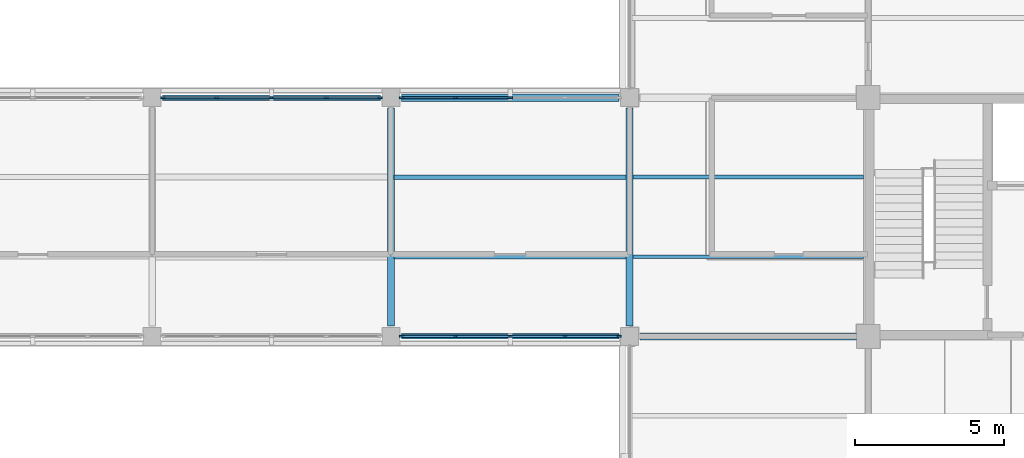
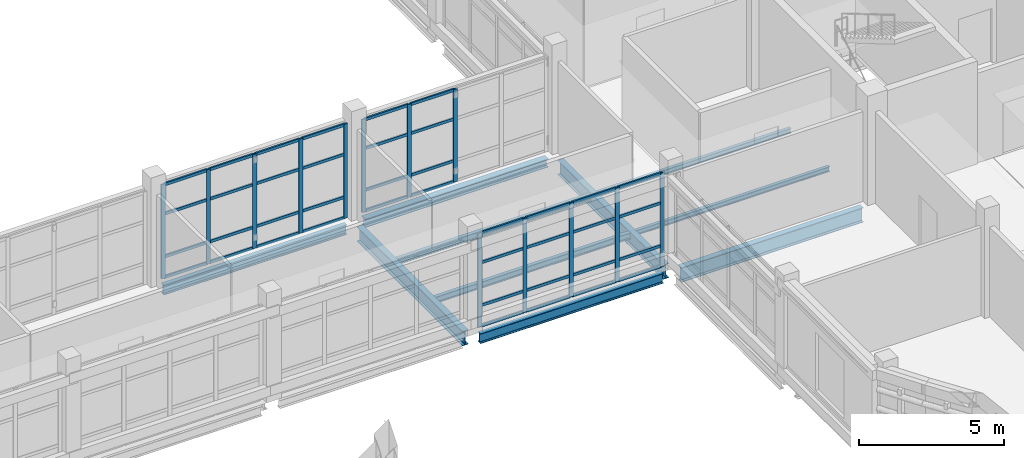
# One storey, part 20 of 121: 53 members, 10 beams, 3 elements without a shape of their own.
"""IFC4 building model written with IfcOpenShell, lengths in metres."""

from ifc_helpers import new_model, si_unit, derived_unit, direction, frame, origin, origin_2d, place, context, subcontext, project, spatial, rectangle, i_section, extrude, material, layer, layer_set, material_profile, profile_set, type_object, element, aggregate, save


model = new_model("IFC4")

# Units and contexts
model_context = context("Model", 3, precision=1e-05, world=origin(), true_north=direction((0.0, 1.0)))
body_context = subcontext(model_context, "Body", "Model", "MODEL_VIEW")
ifc_project = project(units=[si_unit("LENGTHUNIT", "METRE"), si_unit("AREAUNIT", "SQUARE_METRE"), si_unit("VOLUMEUNIT", "CUBIC_METRE"), si_unit("PLANEANGLEUNIT", "RADIAN"), si_unit("MASSUNIT", "GRAM", prefix="KILO"), derived_unit("THERMALTRANSMITTANCEUNIT", [(si_unit("MASSUNIT", "GRAM", prefix="KILO"), 1), (si_unit("TIMEUNIT", "SECOND"), -3), (si_unit("THERMODYNAMICTEMPERATUREUNIT", "KELVIN"), -1)])], contexts=[model_context])

# Site, building, storey
site_placement = place(None, origin())
site = spatial("IfcSite", under=ifc_project, at=site_placement, CompositionType="ELEMENT")
building_placement = place(site_placement, origin())
building = spatial("IfcBuilding", under=site, at=building_placement, Name="Veyamyaing Civic Hall", CompositionType="ELEMENT")
storey_placement = place(building_placement, frame((0.0, 0.0, 5.280029296875)))
storey = spatial("IfcBuildingStorey", under=building, at=storey_placement, Name="L01", CompositionType="ELEMENT", Elevation=5.280029296875)

# Beams
ifc_material_1 = material(Name="Steel ASTM A992", Category="steel")
ifc_material_profile_1 = material_profile(ifc_material_1, i_section(OverallWidth=0.22998046875, OverallDepth=0.616943359375, WebThickness=0.01318359375, FlangeThickness=0.022216796875, FilletRadius=0.012939453125, at=origin_2d()), Name="W610X140")
ifc_profile_set_1 = profile_set([ifc_material_profile_1], Name="Steel ASTM A992")
beam_type_1 = type_object("IfcBeamType", Name="B-05", PredefinedType="BEAM", material=ifc_profile_set_1)
beam_1_placement = place(storey_placement, frame((56.35009765625, 48.0, -0.553466796875), z_axis=(1.0, 0.0, 0.0), x_axis=(0.0, 1.0, 0.0)))
element("IfcBeam", 1, at=beam_1_placement, inside=storey, type_object=beam_type_1, Name="Girder B-05 L01 Grid G 8-9", PredefinedType="BEAM", context=body_context, shape_type="SweptSolid", body=[
    extrude(i_section(OverallWidth=0.22998046875, OverallDepth=0.616943359375, WebThickness=0.01318359375, FlangeThickness=0.022216796875, FilletRadius=0.012939453125, at=origin_2d()), origin(), (0.0, 0.0, 1.0), 7.25),
])
beam_2_placement = place(storey_placement, frame((48.0, 48.35009765625, -0.553466796875), z_axis=(0.0, 1.0, 0.0), x_axis=(-1.0, 0.0, 0.0)))
element("IfcBeam", 2, at=beam_2_placement, inside=storey, type_object=beam_type_1, Name="Girder B-05 L01 Grid 7 G-H", PredefinedType="BEAM", context=body_context, shape_type="SweptSolid", body=[
    extrude(i_section(OverallWidth=0.22998046875, OverallDepth=0.616943359375, WebThickness=0.01318359375, FlangeThickness=0.022216796875, FilletRadius=0.012939453125, at=origin_2d()), origin(), (0.0, 0.0, 1.0), 7.2998046875),
])
ifc_material_profile_2 = material_profile(ifc_material_1, i_section(OverallWidth=0.22802734375, OverallDepth=0.60791015625, WebThickness=0.01123046875, FlangeThickness=0.017333984375, FilletRadius=0.012939453125, at=origin_2d()), Name="W610X113")
ifc_profile_set_2 = profile_set([ifc_material_profile_2], Name="Steel ASTM A992")
beam_type_2 = type_object("IfcBeamType", Name="B-06", PredefinedType="BEAM", material=ifc_profile_set_2)
beam_3_placement = place(storey_placement, frame((56.0, 48.35009765625, -0.549072265625), z_axis=(0.0, 1.0, 0.0), x_axis=(-1.0, 0.0, 0.0)))
element("IfcBeam", 3, at=beam_3_placement, inside=storey, type_object=beam_type_2, Name="Girder B-06 L01 Grid 8 G-H", PredefinedType="BEAM", context=body_context, shape_type="SweptSolid", body=[
    extrude(i_section(OverallWidth=0.22802734375, OverallDepth=0.60791015625, WebThickness=0.01123046875, FlangeThickness=0.017333984375, FilletRadius=0.012939453125, at=origin_2d()), origin(), (0.0, 0.0, 1.0), 7.2998046875),
])
ifc_material_profile_3 = material_profile(ifc_material_1, i_section(OverallWidth=0.180908203125, OverallDepth=0.4169921875, WebThickness=0.010986328125, FlangeThickness=0.018310546875, FilletRadius=0.010009765625, at=origin_2d()), Name="W410X85")
ifc_profile_set_3 = profile_set([ifc_material_profile_3], Name="Steel ASTM A992")
beam_type_3 = type_object("IfcBeamType", Name="B-19", PredefinedType="SPANDREL", material=ifc_profile_set_3)
for number, where, z_axis, x_axis, name in (
    (4, (48.35009765625, 48.0, -0.45361328125), (1.0, 0.0, 0.0), (0.0, 1.0, 0.0), "Girder B-19 L01 Grid G 7-8"),
    (5, (40.35009765625, 56.0, -0.45361328125), (1.0, 0.0, 0.0), (0.0, 1.0, 0.0), "Girder B-19 L01 Grid H 6-7"),
):
    element("IfcBeam", number, at=place(storey_placement, frame(where, z_axis=z_axis, x_axis=x_axis)), inside=storey, type_object=beam_type_3, Name=name, PredefinedType="SPANDREL", context=body_context, shape_type="SweptSolid", body=[
        extrude(i_section(OverallWidth=0.180908203125, OverallDepth=0.4169921875, WebThickness=0.010986328125, FlangeThickness=0.018310546875, FilletRadius=0.010009765625, at=origin_2d()), origin(), (0.0, 0.0, 1.0), 7.2998046875),
    ])
ifc_material_profile_4 = material_profile(ifc_material_1, i_section(OverallWidth=0.25390625, OverallDepth=0.35302734375, WebThickness=0.009521484375, FlangeThickness=0.016357421875, FilletRadius=0.011962890625, at=origin_2d()), Name="W360X91")
ifc_profile_set_4 = profile_set([ifc_material_profile_4], Name="Steel ASTM A992")
beam_type_4 = type_object("IfcBeamType", Name="B-20", PredefinedType="SPANDREL", material=ifc_profile_set_4)
beam_4_placement = place(storey_placement, frame((48.35009765625, 56.0, -0.421630859375), z_axis=(1.0, 0.0, 0.0), x_axis=(0.0, 1.0, 0.0)))
element("IfcBeam", 6, at=beam_4_placement, inside=storey, type_object=beam_type_4, Name="Girder B-20 L01 Grid H 7-8", PredefinedType="SPANDREL", context=body_context, shape_type="SweptSolid", body=[
    extrude(i_section(OverallWidth=0.25390625, OverallDepth=0.35302734375, WebThickness=0.009521484375, FlangeThickness=0.016357421875, FilletRadius=0.011962890625, at=origin_2d()), origin(), (0.0, 0.0, 1.0), 7.2998046875),
])

# Curtain wall, members
ifc_material_2 = material(Name="Anodised aluminium 6063-T6", Category="aluminium")
ifc_layer = layer(ifc_material_2, 0.159912109375, Name="Anodised aluminium 6063-T6")
ifc_layer_set = layer_set([ifc_layer], Name="Anodised aluminium 6063-T6")
curtain_wall_type = type_object("IfcCurtainWallType", Name="CW-02", PredefinedType="NOTDEFINED", material=ifc_layer_set)
curtain_wall_1_placement = place(storey_placement, origin())
curtain_wall_1 = element("IfcCurtainWall", 7, at=curtain_wall_1_placement, inside=storey, type_object=curtain_wall_type, Name="Unitized curtain wall CW-02 L01 N 6.7", PredefinedType="NOTDEFINED")
ifc_material_profile_5 = material_profile(ifc_material_2, rectangle(XDim=0.06494140625, YDim=0.159912109375, at=origin_2d()), Name="ALU-MUL-65X160")
ifc_profile_set_5 = profile_set([ifc_material_profile_5], Name="Anodised aluminium 6063-T6")
member_type_1 = type_object("IfcMemberType", Name="CWM-01", PredefinedType="MULLION", material=ifc_profile_set_5)
member_1_placement = place(storey_placement, frame((40.362548828125, 56.0, 0.0), z_axis=(0.0, 0.0, 1.0), x_axis=(0.0, 1.0, 0.0)))
member_1 = element("IfcMember", 8, at=member_1_placement, type_object=member_type_1, Name="CW-02 mullion 1", PredefinedType="MULLION", context=body_context, shape_type="SweptSolid", body=[
    extrude(rectangle(XDim=0.06494140625, YDim=0.159912109375, at=origin_2d()), origin(), (0.0, 0.0, 1.0), 3.973876953125),
])
member_2_placement = place(storey_placement, frame((42.1650390625, 56.0, 0.0), z_axis=(0.0, 0.0, 1.0), x_axis=(0.0, 1.0, 0.0)))
member_2 = element("IfcMember", 9, at=member_2_placement, type_object=member_type_1, Name="CW-02 mullion 2", PredefinedType="MULLION", context=body_context, shape_type="SweptSolid", body=[
    extrude(rectangle(XDim=0.06494140625, YDim=0.159912109375, at=origin_2d()), origin(), (0.0, 0.0, 1.0), 3.973876953125),
])
member_3_placement = place(storey_placement, frame((44.0, 56.0, 0.0), z_axis=(0.0, 0.0, 1.0), x_axis=(0.0, 1.0, 0.0)))
member_3 = element("IfcMember", 10, at=member_3_placement, type_object=member_type_1, Name="CW-02 mullion 3", PredefinedType="MULLION", context=body_context, shape_type="SweptSolid", body=[
    extrude(rectangle(XDim=0.06494140625, YDim=0.159912109375, at=origin_2d()), origin(), (0.0, 0.0, 1.0), 3.973876953125),
])
member_4_placement = place(storey_placement, frame((45.8349609375, 56.0, 0.0), z_axis=(0.0, 0.0, 1.0), x_axis=(0.0, 1.0, 0.0)))
member_4 = element("IfcMember", 11, at=member_4_placement, type_object=member_type_1, Name="CW-02 mullion 4", PredefinedType="MULLION", context=body_context, shape_type="SweptSolid", body=[
    extrude(rectangle(XDim=0.06494140625, YDim=0.159912109375, at=origin_2d()), origin(), (0.0, 0.0, 1.0), 3.973876953125),
])
member_5_placement = place(storey_placement, frame((47.637451171875, 56.0, 0.0), z_axis=(0.0, 0.0, 1.0), x_axis=(0.0, 1.0, 0.0)))
member_5 = element("IfcMember", 12, at=member_5_placement, type_object=member_type_1, Name="CW-02 mullion 5", PredefinedType="MULLION", context=body_context, shape_type="SweptSolid", body=[
    extrude(rectangle(XDim=0.06494140625, YDim=0.159912109375, at=origin_2d()), origin(), (0.0, 0.0, 1.0), 3.973876953125),
])

curtain_wall_2_placement = place(storey_placement, origin())
curtain_wall_2 = element("IfcCurtainWall", 13, at=curtain_wall_2_placement, inside=storey, type_object=curtain_wall_type, Name="Unitized curtain wall CW-02 L01 S 7.7", PredefinedType="NOTDEFINED")
member_6_placement = place(storey_placement, frame((48.362548828125, 48.0, 0.0), z_axis=(0.0, 0.0, 1.0), x_axis=(0.0, 1.0, 0.0)))
member_6 = element("IfcMember", 14, at=member_6_placement, type_object=member_type_1, Name="CW-02 mullion 1", PredefinedType="MULLION", context=body_context, shape_type="SweptSolid", body=[
    extrude(rectangle(XDim=0.06494140625, YDim=0.159912109375, at=origin_2d()), origin(), (0.0, 0.0, 1.0), 3.973876953125),
])
member_7_placement = place(storey_placement, frame((50.1650390625, 48.0, 0.0), z_axis=(0.0, 0.0, 1.0), x_axis=(0.0, 1.0, 0.0)))
member_7 = element("IfcMember", 15, at=member_7_placement, type_object=member_type_1, Name="CW-02 mullion 2", PredefinedType="MULLION", context=body_context, shape_type="SweptSolid", body=[
    extrude(rectangle(XDim=0.06494140625, YDim=0.159912109375, at=origin_2d()), origin(), (0.0, 0.0, 1.0), 3.973876953125),
])
member_8_placement = place(storey_placement, frame((52.0, 48.0, 0.0), z_axis=(0.0, 0.0, 1.0), x_axis=(0.0, 1.0, 0.0)))
member_8 = element("IfcMember", 16, at=member_8_placement, type_object=member_type_1, Name="CW-02 mullion 3", PredefinedType="MULLION", context=body_context, shape_type="SweptSolid", body=[
    extrude(rectangle(XDim=0.06494140625, YDim=0.159912109375, at=origin_2d()), origin(), (0.0, 0.0, 1.0), 3.973876953125),
])
member_9_placement = place(storey_placement, frame((53.8349609375, 48.0, 0.0), z_axis=(0.0, 0.0, 1.0), x_axis=(0.0, 1.0, 0.0)))
member_9 = element("IfcMember", 17, at=member_9_placement, type_object=member_type_1, Name="CW-02 mullion 4", PredefinedType="MULLION", context=body_context, shape_type="SweptSolid", body=[
    extrude(rectangle(XDim=0.06494140625, YDim=0.159912109375, at=origin_2d()), origin(), (0.0, 0.0, 1.0), 3.973876953125),
])
member_10_placement = place(storey_placement, frame((55.637451171875, 48.0, 0.0), z_axis=(0.0, 0.0, 1.0), x_axis=(0.0, 1.0, 0.0)))
member_10 = element("IfcMember", 18, at=member_10_placement, type_object=member_type_1, Name="CW-02 mullion 5", PredefinedType="MULLION", context=body_context, shape_type="SweptSolid", body=[
    extrude(rectangle(XDim=0.06494140625, YDim=0.159912109375, at=origin_2d()), origin(), (0.0, 0.0, 1.0), 3.973876953125),
])

curtain_wall_3_placement = place(storey_placement, origin())
curtain_wall_3 = element("IfcCurtainWall", 19, at=curtain_wall_3_placement, inside=storey, type_object=curtain_wall_type, Name="Unitized curtain wall CW-02 L01 N 7.7", PredefinedType="NOTDEFINED")
member_11_placement = place(storey_placement, frame((48.362548828125, 56.0, 0.0), z_axis=(0.0, 0.0, 1.0), x_axis=(0.0, 1.0, 0.0)))
member_11 = element("IfcMember", 20, at=member_11_placement, type_object=member_type_1, Name="CW-02 mullion 1", PredefinedType="MULLION", context=body_context, shape_type="SweptSolid", body=[
    extrude(rectangle(XDim=0.06494140625, YDim=0.159912109375, at=origin_2d()), origin(), (0.0, 0.0, 1.0), 3.9140625),
])
member_12_placement = place(storey_placement, frame((50.1650390625, 56.0, 0.0), z_axis=(0.0, 0.0, 1.0), x_axis=(0.0, 1.0, 0.0)))
member_12 = element("IfcMember", 21, at=member_12_placement, type_object=member_type_1, Name="CW-02 mullion 2", PredefinedType="MULLION", context=body_context, shape_type="SweptSolid", body=[
    extrude(rectangle(XDim=0.06494140625, YDim=0.159912109375, at=origin_2d()), origin(), (0.0, 0.0, 1.0), 3.9140625),
])
member_13_placement = place(storey_placement, frame((52.0, 56.0, 0.0), z_axis=(0.0, 0.0, 1.0), x_axis=(0.0, 1.0, 0.0)))
member_13 = element("IfcMember", 22, at=member_13_placement, type_object=member_type_1, Name="CW-02 mullion 3", PredefinedType="MULLION", context=body_context, shape_type="SweptSolid", body=[
    extrude(rectangle(XDim=0.06494140625, YDim=0.159912109375, at=origin_2d()), origin(), (0.0, 0.0, 1.0), 3.9140625),
])

# Member
ifc_material_profile_6 = material_profile(ifc_material_2, rectangle(XDim=0.06494140625, YDim=0.1201171875, at=origin_2d()), Name="ALU-TRN-65X120")
ifc_profile_set_6 = profile_set([ifc_material_profile_6], Name="Anodised aluminium 6063-T6")
member_type_2 = type_object("IfcMemberType", Name="CWT-01", PredefinedType="USERDEFINED", material=ifc_profile_set_6)
member_14_placement = place(storey_placement, frame((40.39501953125, 56.0, 0.032470703125), z_axis=(1.0, 0.0, 0.0), x_axis=(0.0, 1.0, 0.0)))
member_14 = element("IfcMember", 23, at=member_14_placement, type_object=member_type_2, Name="CW-02 transom 1.1", ObjectType="TRANSOM", PredefinedType="USERDEFINED", context=body_context, shape_type="SweptSolid", body=[
    extrude(rectangle(XDim=0.06494140625, YDim=0.1201171875, at=origin_2d()), origin(), (0.0, 0.0, 1.0), 1.737548828125),
])

member_15_placement = place(storey_placement, frame((40.39501953125, 56.0, 0.89990234375), z_axis=(1.0, 0.0, 0.0), x_axis=(0.0, 1.0, 0.0)))
member_15 = element("IfcMember", 24, at=member_15_placement, type_object=member_type_2, Name="CW-02 transom 1.2", ObjectType="TRANSOM", PredefinedType="USERDEFINED", context=body_context, shape_type="SweptSolid", body=[
    extrude(rectangle(XDim=0.06494140625, YDim=0.1201171875, at=origin_2d()), origin(), (0.0, 0.0, 1.0), 1.737548828125),
])

member_16_placement = place(storey_placement, frame((40.39501953125, 56.0, 2.702392578125), z_axis=(1.0, 0.0, 0.0), x_axis=(0.0, 1.0, 0.0)))
member_16 = element("IfcMember", 25, at=member_16_placement, type_object=member_type_2, Name="CW-02 transom 1.3", ObjectType="TRANSOM", PredefinedType="USERDEFINED", context=body_context, shape_type="SweptSolid", body=[
    extrude(rectangle(XDim=0.06494140625, YDim=0.1201171875, at=origin_2d()), origin(), (0.0, 0.0, 1.0), 1.737548828125),
])

member_17_placement = place(storey_placement, frame((40.39501953125, 56.0, 3.94140625), z_axis=(1.0, 0.0, 0.0), x_axis=(0.0, 1.0, 0.0)))
member_17 = element("IfcMember", 26, at=member_17_placement, type_object=member_type_2, Name="CW-02 transom 1.4", ObjectType="TRANSOM", PredefinedType="USERDEFINED", context=body_context, shape_type="SweptSolid", body=[
    extrude(rectangle(XDim=0.06494140625, YDim=0.1201171875, at=origin_2d()), origin(), (0.0, 0.0, 1.0), 1.737548828125),
])

member_18_placement = place(storey_placement, frame((42.197509765625, 56.0, 0.032470703125), z_axis=(1.0, 0.0, 0.0), x_axis=(0.0, 1.0, 0.0)))
member_18 = element("IfcMember", 27, at=member_18_placement, type_object=member_type_2, Name="CW-02 transom 2.1", ObjectType="TRANSOM", PredefinedType="USERDEFINED", context=body_context, shape_type="SweptSolid", body=[
    extrude(rectangle(XDim=0.06494140625, YDim=0.1201171875, at=origin_2d()), origin(), (0.0, 0.0, 1.0), 1.77001953125),
])

member_19_placement = place(storey_placement, frame((42.197509765625, 56.0, 0.89990234375), z_axis=(1.0, 0.0, 0.0), x_axis=(0.0, 1.0, 0.0)))
member_19 = element("IfcMember", 28, at=member_19_placement, type_object=member_type_2, Name="CW-02 transom 2.2", ObjectType="TRANSOM", PredefinedType="USERDEFINED", context=body_context, shape_type="SweptSolid", body=[
    extrude(rectangle(XDim=0.06494140625, YDim=0.1201171875, at=origin_2d()), origin(), (0.0, 0.0, 1.0), 1.77001953125),
])

member_20_placement = place(storey_placement, frame((42.197509765625, 56.0, 2.702392578125), z_axis=(1.0, 0.0, 0.0), x_axis=(0.0, 1.0, 0.0)))
member_20 = element("IfcMember", 29, at=member_20_placement, type_object=member_type_2, Name="CW-02 transom 2.3", ObjectType="TRANSOM", PredefinedType="USERDEFINED", context=body_context, shape_type="SweptSolid", body=[
    extrude(rectangle(XDim=0.06494140625, YDim=0.1201171875, at=origin_2d()), origin(), (0.0, 0.0, 1.0), 1.77001953125),
])

member_21_placement = place(storey_placement, frame((42.197509765625, 56.0, 3.94140625), z_axis=(1.0, 0.0, 0.0), x_axis=(0.0, 1.0, 0.0)))
member_21 = element("IfcMember", 30, at=member_21_placement, type_object=member_type_2, Name="CW-02 transom 2.4", ObjectType="TRANSOM", PredefinedType="USERDEFINED", context=body_context, shape_type="SweptSolid", body=[
    extrude(rectangle(XDim=0.06494140625, YDim=0.1201171875, at=origin_2d()), origin(), (0.0, 0.0, 1.0), 1.77001953125),
])

member_22_placement = place(storey_placement, frame((44.032470703125, 56.0, 0.032470703125), z_axis=(1.0, 0.0, 0.0), x_axis=(0.0, 1.0, 0.0)))
member_22 = element("IfcMember", 31, at=member_22_placement, type_object=member_type_2, Name="CW-02 transom 3.1", ObjectType="TRANSOM", PredefinedType="USERDEFINED", context=body_context, shape_type="SweptSolid", body=[
    extrude(rectangle(XDim=0.06494140625, YDim=0.1201171875, at=origin_2d()), origin(), (0.0, 0.0, 1.0), 1.77001953125),
])

member_23_placement = place(storey_placement, frame((44.032470703125, 56.0, 0.89990234375), z_axis=(1.0, 0.0, 0.0), x_axis=(0.0, 1.0, 0.0)))
member_23 = element("IfcMember", 32, at=member_23_placement, type_object=member_type_2, Name="CW-02 transom 3.2", ObjectType="TRANSOM", PredefinedType="USERDEFINED", context=body_context, shape_type="SweptSolid", body=[
    extrude(rectangle(XDim=0.06494140625, YDim=0.1201171875, at=origin_2d()), origin(), (0.0, 0.0, 1.0), 1.77001953125),
])

member_24_placement = place(storey_placement, frame((44.032470703125, 56.0, 2.702392578125), z_axis=(1.0, 0.0, 0.0), x_axis=(0.0, 1.0, 0.0)))
member_24 = element("IfcMember", 33, at=member_24_placement, type_object=member_type_2, Name="CW-02 transom 3.3", ObjectType="TRANSOM", PredefinedType="USERDEFINED", context=body_context, shape_type="SweptSolid", body=[
    extrude(rectangle(XDim=0.06494140625, YDim=0.1201171875, at=origin_2d()), origin(), (0.0, 0.0, 1.0), 1.77001953125),
])

member_25_placement = place(storey_placement, frame((44.032470703125, 56.0, 3.94140625), z_axis=(1.0, 0.0, 0.0), x_axis=(0.0, 1.0, 0.0)))
member_25 = element("IfcMember", 34, at=member_25_placement, type_object=member_type_2, Name="CW-02 transom 3.4", ObjectType="TRANSOM", PredefinedType="USERDEFINED", context=body_context, shape_type="SweptSolid", body=[
    extrude(rectangle(XDim=0.06494140625, YDim=0.1201171875, at=origin_2d()), origin(), (0.0, 0.0, 1.0), 1.77001953125),
])

member_26_placement = place(storey_placement, frame((45.867431640625, 56.0, 0.032470703125), z_axis=(1.0, 0.0, 0.0), x_axis=(0.0, 1.0, 0.0)))
member_26 = element("IfcMember", 35, at=member_26_placement, type_object=member_type_2, Name="CW-02 transom 4.1", ObjectType="TRANSOM", PredefinedType="USERDEFINED", context=body_context, shape_type="SweptSolid", body=[
    extrude(rectangle(XDim=0.06494140625, YDim=0.1201171875, at=origin_2d()), origin(), (0.0, 0.0, 1.0), 1.737548828125),
])

member_27_placement = place(storey_placement, frame((45.867431640625, 56.0, 0.89990234375), z_axis=(1.0, 0.0, 0.0), x_axis=(0.0, 1.0, 0.0)))
member_27 = element("IfcMember", 36, at=member_27_placement, type_object=member_type_2, Name="CW-02 transom 4.2", ObjectType="TRANSOM", PredefinedType="USERDEFINED", context=body_context, shape_type="SweptSolid", body=[
    extrude(rectangle(XDim=0.06494140625, YDim=0.1201171875, at=origin_2d()), origin(), (0.0, 0.0, 1.0), 1.737548828125),
])

member_28_placement = place(storey_placement, frame((45.867431640625, 56.0, 2.702392578125), z_axis=(1.0, 0.0, 0.0), x_axis=(0.0, 1.0, 0.0)))
member_28 = element("IfcMember", 37, at=member_28_placement, type_object=member_type_2, Name="CW-02 transom 4.3", ObjectType="TRANSOM", PredefinedType="USERDEFINED", context=body_context, shape_type="SweptSolid", body=[
    extrude(rectangle(XDim=0.06494140625, YDim=0.1201171875, at=origin_2d()), origin(), (0.0, 0.0, 1.0), 1.737548828125),
])

member_29_placement = place(storey_placement, frame((45.867431640625, 56.0, 3.94140625), z_axis=(1.0, 0.0, 0.0), x_axis=(0.0, 1.0, 0.0)))
member_29 = element("IfcMember", 38, at=member_29_placement, type_object=member_type_2, Name="CW-02 transom 4.4", ObjectType="TRANSOM", PredefinedType="USERDEFINED", context=body_context, shape_type="SweptSolid", body=[
    extrude(rectangle(XDim=0.06494140625, YDim=0.1201171875, at=origin_2d()), origin(), (0.0, 0.0, 1.0), 1.737548828125),
])

aggregate(curtain_wall_1, [member_1, member_2, member_3, member_4, member_5, member_14, member_15, member_16, member_17, member_18, member_19, member_20, member_21, member_22, member_23, member_24, member_25, member_26, member_27, member_28, member_29])

member_30_placement = place(storey_placement, frame((48.39501953125, 48.0, 0.032470703125), z_axis=(1.0, 0.0, 0.0), x_axis=(0.0, 1.0, 0.0)))
member_30 = element("IfcMember", 39, at=member_30_placement, type_object=member_type_2, Name="CW-02 transom 1.1", ObjectType="TRANSOM", PredefinedType="USERDEFINED", context=body_context, shape_type="SweptSolid", body=[
    extrude(rectangle(XDim=0.06494140625, YDim=0.1201171875, at=origin_2d()), origin(), (0.0, 0.0, 1.0), 1.737548828125),
])

member_31_placement = place(storey_placement, frame((48.39501953125, 48.0, 0.89990234375), z_axis=(1.0, 0.0, 0.0), x_axis=(0.0, 1.0, 0.0)))
member_31 = element("IfcMember", 40, at=member_31_placement, type_object=member_type_2, Name="CW-02 transom 1.2", ObjectType="TRANSOM", PredefinedType="USERDEFINED", context=body_context, shape_type="SweptSolid", body=[
    extrude(rectangle(XDim=0.06494140625, YDim=0.1201171875, at=origin_2d()), origin(), (0.0, 0.0, 1.0), 1.737548828125),
])

member_32_placement = place(storey_placement, frame((48.39501953125, 48.0, 2.702392578125), z_axis=(1.0, 0.0, 0.0), x_axis=(0.0, 1.0, 0.0)))
member_32 = element("IfcMember", 41, at=member_32_placement, type_object=member_type_2, Name="CW-02 transom 1.3", ObjectType="TRANSOM", PredefinedType="USERDEFINED", context=body_context, shape_type="SweptSolid", body=[
    extrude(rectangle(XDim=0.06494140625, YDim=0.1201171875, at=origin_2d()), origin(), (0.0, 0.0, 1.0), 1.737548828125),
])

member_33_placement = place(storey_placement, frame((48.39501953125, 48.0, 3.94140625), z_axis=(1.0, 0.0, 0.0), x_axis=(0.0, 1.0, 0.0)))
member_33 = element("IfcMember", 42, at=member_33_placement, type_object=member_type_2, Name="CW-02 transom 1.4", ObjectType="TRANSOM", PredefinedType="USERDEFINED", context=body_context, shape_type="SweptSolid", body=[
    extrude(rectangle(XDim=0.06494140625, YDim=0.1201171875, at=origin_2d()), origin(), (0.0, 0.0, 1.0), 1.737548828125),
])

member_34_placement = place(storey_placement, frame((50.197509765625, 48.0, 0.032470703125), z_axis=(1.0, 0.0, 0.0), x_axis=(0.0, 1.0, 0.0)))
member_34 = element("IfcMember", 43, at=member_34_placement, type_object=member_type_2, Name="CW-02 transom 2.1", ObjectType="TRANSOM", PredefinedType="USERDEFINED", context=body_context, shape_type="SweptSolid", body=[
    extrude(rectangle(XDim=0.06494140625, YDim=0.1201171875, at=origin_2d()), origin(), (0.0, 0.0, 1.0), 1.77001953125),
])

member_35_placement = place(storey_placement, frame((50.197509765625, 48.0, 0.89990234375), z_axis=(1.0, 0.0, 0.0), x_axis=(0.0, 1.0, 0.0)))
member_35 = element("IfcMember", 44, at=member_35_placement, type_object=member_type_2, Name="CW-02 transom 2.2", ObjectType="TRANSOM", PredefinedType="USERDEFINED", context=body_context, shape_type="SweptSolid", body=[
    extrude(rectangle(XDim=0.06494140625, YDim=0.1201171875, at=origin_2d()), origin(), (0.0, 0.0, 1.0), 1.77001953125),
])

member_36_placement = place(storey_placement, frame((50.197509765625, 48.0, 2.702392578125), z_axis=(1.0, 0.0, 0.0), x_axis=(0.0, 1.0, 0.0)))
member_36 = element("IfcMember", 45, at=member_36_placement, type_object=member_type_2, Name="CW-02 transom 2.3", ObjectType="TRANSOM", PredefinedType="USERDEFINED", context=body_context, shape_type="SweptSolid", body=[
    extrude(rectangle(XDim=0.06494140625, YDim=0.1201171875, at=origin_2d()), origin(), (0.0, 0.0, 1.0), 1.77001953125),
])

member_37_placement = place(storey_placement, frame((50.197509765625, 48.0, 3.94140625), z_axis=(1.0, 0.0, 0.0), x_axis=(0.0, 1.0, 0.0)))
member_37 = element("IfcMember", 46, at=member_37_placement, type_object=member_type_2, Name="CW-02 transom 2.4", ObjectType="TRANSOM", PredefinedType="USERDEFINED", context=body_context, shape_type="SweptSolid", body=[
    extrude(rectangle(XDim=0.06494140625, YDim=0.1201171875, at=origin_2d()), origin(), (0.0, 0.0, 1.0), 1.77001953125),
])

member_38_placement = place(storey_placement, frame((52.032470703125, 48.0, 0.032470703125), z_axis=(1.0, 0.0, 0.0), x_axis=(0.0, 1.0, 0.0)))
member_38 = element("IfcMember", 47, at=member_38_placement, type_object=member_type_2, Name="CW-02 transom 3.1", ObjectType="TRANSOM", PredefinedType="USERDEFINED", context=body_context, shape_type="SweptSolid", body=[
    extrude(rectangle(XDim=0.06494140625, YDim=0.1201171875, at=origin_2d()), origin(), (0.0, 0.0, 1.0), 1.77001953125),
])

member_39_placement = place(storey_placement, frame((52.032470703125, 48.0, 0.89990234375), z_axis=(1.0, 0.0, 0.0), x_axis=(0.0, 1.0, 0.0)))
member_39 = element("IfcMember", 48, at=member_39_placement, type_object=member_type_2, Name="CW-02 transom 3.2", ObjectType="TRANSOM", PredefinedType="USERDEFINED", context=body_context, shape_type="SweptSolid", body=[
    extrude(rectangle(XDim=0.06494140625, YDim=0.1201171875, at=origin_2d()), origin(), (0.0, 0.0, 1.0), 1.77001953125),
])

member_40_placement = place(storey_placement, frame((52.032470703125, 48.0, 2.702392578125), z_axis=(1.0, 0.0, 0.0), x_axis=(0.0, 1.0, 0.0)))
member_40 = element("IfcMember", 49, at=member_40_placement, type_object=member_type_2, Name="CW-02 transom 3.3", ObjectType="TRANSOM", PredefinedType="USERDEFINED", context=body_context, shape_type="SweptSolid", body=[
    extrude(rectangle(XDim=0.06494140625, YDim=0.1201171875, at=origin_2d()), origin(), (0.0, 0.0, 1.0), 1.77001953125),
])

member_41_placement = place(storey_placement, frame((52.032470703125, 48.0, 3.94140625), z_axis=(1.0, 0.0, 0.0), x_axis=(0.0, 1.0, 0.0)))
member_41 = element("IfcMember", 50, at=member_41_placement, type_object=member_type_2, Name="CW-02 transom 3.4", ObjectType="TRANSOM", PredefinedType="USERDEFINED", context=body_context, shape_type="SweptSolid", body=[
    extrude(rectangle(XDim=0.06494140625, YDim=0.1201171875, at=origin_2d()), origin(), (0.0, 0.0, 1.0), 1.77001953125),
])

member_42_placement = place(storey_placement, frame((53.867431640625, 48.0, 0.032470703125), z_axis=(1.0, 0.0, 0.0), x_axis=(0.0, 1.0, 0.0)))
member_42 = element("IfcMember", 51, at=member_42_placement, type_object=member_type_2, Name="CW-02 transom 4.1", ObjectType="TRANSOM", PredefinedType="USERDEFINED", context=body_context, shape_type="SweptSolid", body=[
    extrude(rectangle(XDim=0.06494140625, YDim=0.1201171875, at=origin_2d()), origin(), (0.0, 0.0, 1.0), 1.737548828125),
])

member_43_placement = place(storey_placement, frame((53.867431640625, 48.0, 0.89990234375), z_axis=(1.0, 0.0, 0.0), x_axis=(0.0, 1.0, 0.0)))
member_43 = element("IfcMember", 52, at=member_43_placement, type_object=member_type_2, Name="CW-02 transom 4.2", ObjectType="TRANSOM", PredefinedType="USERDEFINED", context=body_context, shape_type="SweptSolid", body=[
    extrude(rectangle(XDim=0.06494140625, YDim=0.1201171875, at=origin_2d()), origin(), (0.0, 0.0, 1.0), 1.737548828125),
])

member_44_placement = place(storey_placement, frame((53.867431640625, 48.0, 2.702392578125), z_axis=(1.0, 0.0, 0.0), x_axis=(0.0, 1.0, 0.0)))
member_44 = element("IfcMember", 53, at=member_44_placement, type_object=member_type_2, Name="CW-02 transom 4.3", ObjectType="TRANSOM", PredefinedType="USERDEFINED", context=body_context, shape_type="SweptSolid", body=[
    extrude(rectangle(XDim=0.06494140625, YDim=0.1201171875, at=origin_2d()), origin(), (0.0, 0.0, 1.0), 1.737548828125),
])

member_45_placement = place(storey_placement, frame((53.867431640625, 48.0, 3.94140625), z_axis=(1.0, 0.0, 0.0), x_axis=(0.0, 1.0, 0.0)))
member_45 = element("IfcMember", 54, at=member_45_placement, type_object=member_type_2, Name="CW-02 transom 4.4", ObjectType="TRANSOM", PredefinedType="USERDEFINED", context=body_context, shape_type="SweptSolid", body=[
    extrude(rectangle(XDim=0.06494140625, YDim=0.1201171875, at=origin_2d()), origin(), (0.0, 0.0, 1.0), 1.737548828125),
])

aggregate(curtain_wall_2, [member_6, member_7, member_8, member_9, member_10, member_30, member_31, member_32, member_33, member_34, member_35, member_36, member_37, member_38, member_39, member_40, member_41, member_42, member_43, member_44, member_45])

member_46_placement = place(storey_placement, frame((48.39501953125, 56.0, 0.032470703125), z_axis=(1.0, 0.0, 0.0), x_axis=(0.0, 1.0, 0.0)))
member_46 = element("IfcMember", 55, at=member_46_placement, type_object=member_type_2, Name="CW-02 transom 1.1", ObjectType="TRANSOM", PredefinedType="USERDEFINED", context=body_context, shape_type="SweptSolid", body=[
    extrude(rectangle(XDim=0.06494140625, YDim=0.1201171875, at=origin_2d()), origin(), (0.0, 0.0, 1.0), 1.737548828125),
])

member_47_placement = place(storey_placement, frame((48.39501953125, 56.0, 0.89990234375), z_axis=(1.0, 0.0, 0.0), x_axis=(0.0, 1.0, 0.0)))
member_47 = element("IfcMember", 56, at=member_47_placement, type_object=member_type_2, Name="CW-02 transom 1.2", ObjectType="TRANSOM", PredefinedType="USERDEFINED", context=body_context, shape_type="SweptSolid", body=[
    extrude(rectangle(XDim=0.06494140625, YDim=0.1201171875, at=origin_2d()), origin(), (0.0, 0.0, 1.0), 1.737548828125),
])

member_48_placement = place(storey_placement, frame((48.39501953125, 56.0, 2.661376953125), z_axis=(1.0, 0.0, 0.0), x_axis=(0.0, 1.0, 0.0)))
member_48 = element("IfcMember", 57, at=member_48_placement, type_object=member_type_2, Name="CW-02 transom 1.3", ObjectType="TRANSOM", PredefinedType="USERDEFINED", context=body_context, shape_type="SweptSolid", body=[
    extrude(rectangle(XDim=0.06494140625, YDim=0.1201171875, at=origin_2d()), origin(), (0.0, 0.0, 1.0), 1.737548828125),
])

member_49_placement = place(storey_placement, frame((48.39501953125, 56.0, 3.881591796875), z_axis=(1.0, 0.0, 0.0), x_axis=(0.0, 1.0, 0.0)))
member_49 = element("IfcMember", 58, at=member_49_placement, type_object=member_type_2, Name="CW-02 transom 1.4", ObjectType="TRANSOM", PredefinedType="USERDEFINED", context=body_context, shape_type="SweptSolid", body=[
    extrude(rectangle(XDim=0.06494140625, YDim=0.1201171875, at=origin_2d()), origin(), (0.0, 0.0, 1.0), 1.737548828125),
])

member_50_placement = place(storey_placement, frame((50.197509765625, 56.0, 0.032470703125), z_axis=(1.0, 0.0, 0.0), x_axis=(0.0, 1.0, 0.0)))
member_50 = element("IfcMember", 59, at=member_50_placement, type_object=member_type_2, Name="CW-02 transom 2.1", ObjectType="TRANSOM", PredefinedType="USERDEFINED", context=body_context, shape_type="SweptSolid", body=[
    extrude(rectangle(XDim=0.06494140625, YDim=0.1201171875, at=origin_2d()), origin(), (0.0, 0.0, 1.0), 1.77001953125),
])

member_51_placement = place(storey_placement, frame((50.197509765625, 56.0, 0.89990234375), z_axis=(1.0, 0.0, 0.0), x_axis=(0.0, 1.0, 0.0)))
member_51 = element("IfcMember", 60, at=member_51_placement, type_object=member_type_2, Name="CW-02 transom 2.2", ObjectType="TRANSOM", PredefinedType="USERDEFINED", context=body_context, shape_type="SweptSolid", body=[
    extrude(rectangle(XDim=0.06494140625, YDim=0.1201171875, at=origin_2d()), origin(), (0.0, 0.0, 1.0), 1.77001953125),
])

member_52_placement = place(storey_placement, frame((50.197509765625, 56.0, 2.661376953125), z_axis=(1.0, 0.0, 0.0), x_axis=(0.0, 1.0, 0.0)))
member_52 = element("IfcMember", 61, at=member_52_placement, type_object=member_type_2, Name="CW-02 transom 2.3", ObjectType="TRANSOM", PredefinedType="USERDEFINED", context=body_context, shape_type="SweptSolid", body=[
    extrude(rectangle(XDim=0.06494140625, YDim=0.1201171875, at=origin_2d()), origin(), (0.0, 0.0, 1.0), 1.77001953125),
])

member_53_placement = place(storey_placement, frame((50.197509765625, 56.0, 3.881591796875), z_axis=(1.0, 0.0, 0.0), x_axis=(0.0, 1.0, 0.0)))
member_53 = element("IfcMember", 62, at=member_53_placement, type_object=member_type_2, Name="CW-02 transom 2.4", ObjectType="TRANSOM", PredefinedType="USERDEFINED", context=body_context, shape_type="SweptSolid", body=[
    extrude(rectangle(XDim=0.06494140625, YDim=0.1201171875, at=origin_2d()), origin(), (0.0, 0.0, 1.0), 1.77001953125),
])

aggregate(curtain_wall_3, [member_11, member_12, member_13, member_46, member_47, member_48, member_49, member_50, member_51, member_52, member_53])

# Beams
ifc_material_profile_7 = material_profile(ifc_material_1, i_section(OverallWidth=0.14794921875, OverallDepth=0.26611328125, WebThickness=0.007568359375, FlangeThickness=0.012939453125, FilletRadius=0.010009765625, at=origin_2d()), Name="W250X45")
ifc_profile_set_7 = profile_set([ifc_material_profile_7], Name="Steel ASTM A992")
beam_type_5 = type_object("IfcBeamType", Name="J-07", PredefinedType="JOIST", material=ifc_profile_set_7)
for number, where, z_axis, x_axis, name in (
    (63, (48.113037109375, 50.666748046875, -0.3779296875), (1.0, 0.0, 0.0), (0.0, 1.0, 0.0), "Composite floor joist J-07 L01 7.7.1"),
    (64, (48.113037109375, 53.333251953125, -0.3779296875), (1.0, 0.0, 0.0), (0.0, 1.0, 0.0), "Composite floor joist J-07 L01 7.7.2"),
):
    element("IfcBeam", number, at=place(storey_placement, frame(where, z_axis=z_axis, x_axis=x_axis)), inside=storey, type_object=beam_type_5, Name=name, PredefinedType="JOIST", context=body_context, shape_type="SweptSolid", body=[
        extrude(i_section(OverallWidth=0.14794921875, OverallDepth=0.26611328125, WebThickness=0.007568359375, FlangeThickness=0.012939453125, FilletRadius=0.010009765625, at=origin_2d()), origin(), (0.0, 0.0, 1.0), 7.77490234375),
    ])
ifc_material_profile_8 = material_profile(ifc_material_1, i_section(OverallWidth=0.133056640625, OverallDepth=0.20703125, WebThickness=0.005859375, FlangeThickness=0.00830078125, FilletRadius=0.010009765625, at=origin_2d()), Name="W200X27")
ifc_profile_set_8 = profile_set([ifc_material_profile_8], Name="Steel ASTM A992")
beam_type_6 = type_object("IfcBeamType", Name="J-08", PredefinedType="JOIST", material=ifc_profile_set_8)
for number, where, z_axis, x_axis, name in (
    (65, (56.112060546875, 50.666748046875, -0.3486328125), (1.0, 0.0, 0.0), (0.0, 1.0, 0.0), "Composite floor joist J-08 L01 8.7.1"),
    (66, (56.112060546875, 53.333251953125, -0.3486328125), (1.0, 0.0, 0.0), (0.0, 1.0, 0.0), "Composite floor joist J-08 L01 8.7.2"),
):
    element("IfcBeam", number, at=place(storey_placement, frame(where, z_axis=z_axis, x_axis=x_axis)), inside=storey, type_object=beam_type_6, Name=name, PredefinedType="JOIST", context=body_context, shape_type="SweptSolid", body=[
        extrude(i_section(OverallWidth=0.133056640625, OverallDepth=0.20703125, WebThickness=0.005859375, FlangeThickness=0.00830078125, FilletRadius=0.010009765625, at=origin_2d()), origin(), (0.0, 0.0, 1.0), 7.7275390625),
    ])

save(model, "model.ifc")
